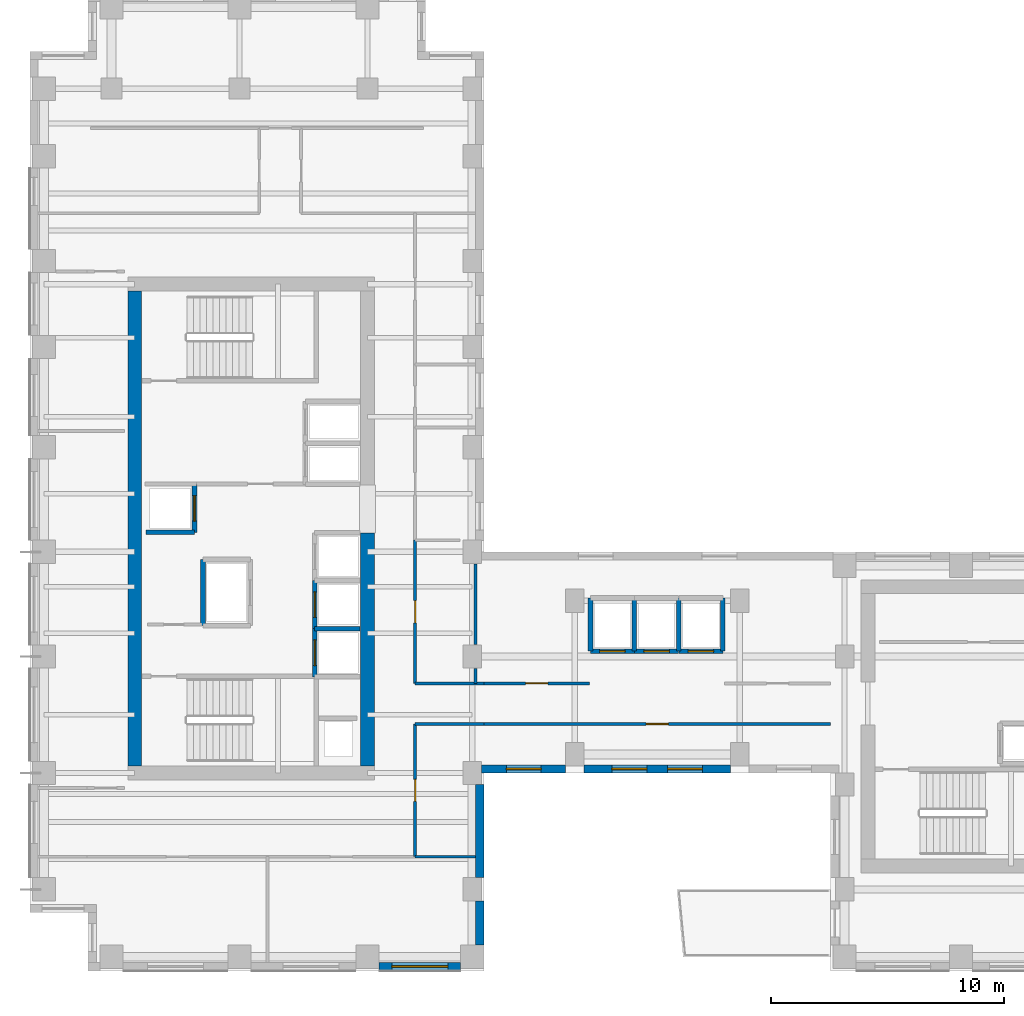
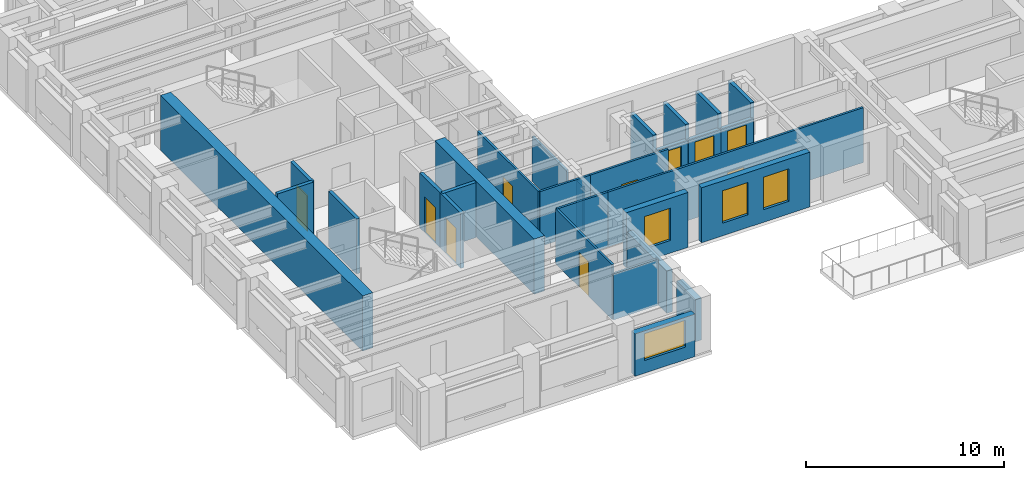
# One storey, part 4 of 12: 29 walls, 10 doors, 4 windows, 14 openings.
"""IFC4 building model written with IfcOpenShell, lengths in metres."""

from ifc_helpers import new_model, si_unit, direction, frame, frame_2d, origin, place, context, subcontext, project, spatial, rectangle, extrude, source, transform, mapped, material, layer, layer_set, type_object, element, fill, save


model = new_model("IFC4")

# Units and contexts
model_context = context("Model", 3, precision=1e-05, world=origin(), true_north=direction((0.0, 1.0)))
body_context = subcontext(model_context, "Body", "Model", "MODEL_VIEW")
ifc_project = project(units=[si_unit("LENGTHUNIT", "METRE"), si_unit("AREAUNIT", "SQUARE_METRE"), si_unit("VOLUMEUNIT", "CUBIC_METRE"), si_unit("PLANEANGLEUNIT", "RADIAN"), si_unit("MASSUNIT", "GRAM", prefix="KILO")], contexts=[model_context])

# Site, building, storey
site_placement = place(None, origin())
site = spatial("IfcSite", under=ifc_project, at=site_placement, CompositionType="ELEMENT")
building_placement = place(site_placement, origin())
building = spatial("IfcBuilding", under=site, at=building_placement, Name="Kharzan Plaza Tower", CompositionType="ELEMENT")
storey_placement = place(building_placement, frame((0.0, 0.0, 179.10009765625)))
storey = spatial("IfcBuildingStorey", under=building, at=storey_placement, Name="L48", CompositionType="ELEMENT", Elevation=179.10009765625)

# Wall, opening, window
ifc_material_1 = material(Name="Concrete C40/50", Category="concrete")
ifc_layer_1 = layer(ifc_material_1, 0.35009765625)
ifc_layer_set_1 = layer_set([ifc_layer_1], Name="Concrete C40/50")
wall_type_1 = type_object("IfcWallType", Name="WL-EXT-MAS-Z3", PredefinedType="SOLIDWALL", material=ifc_layer_set_1)
wall_1_placement = place(storey_placement, frame((14.998046875, 0.175048828125, 0.0), z_axis=(0.0, 0.0, 1.0), x_axis=(1.0, 0.0, 0.0)))
wall_1 = element("IfcWall", 1, at=wall_1_placement, inside=storey, type_object=wall_type_1, Name="L48 Masonry-Frame Exterior Wall 23", PredefinedType="SOLIDWALL", context=body_context, shape_type="SweptSolid", body=[
    extrude(rectangle(XDim=3.50390625, YDim=0.35009765625, at=frame_2d((1.751953125, 0.0))), origin(), (0.0, 0.0, 1.0), 2.61181640625),
])
opening_1_placement = place(wall_1_placement, frame((0.552001953125, 0.0, 0.780029296875)))
opening_1 = element("IfcOpeningElement", 2, at=opening_1_placement, cuts=wall_1, Name="Opening W2", PredefinedType="OPENING", context=body_context, shape_type="SweptSolid", body=[
    extrude(rectangle(XDim=2.39990234375, YDim=1.652099609375, at=frame_2d((1.199951171875, 0.826171875))), frame((0.0, 0.18505859375, 0.0), z_axis=(0.0, -1.0, 0.0), x_axis=(1.0, 0.0, 0.0)), (0.0, 0.0, 1.0), 0.3701171875),
])
ifc_material_2 = material(Name="Low-E Double Glazing", Category="glass")
window_type_1 = type_object("IfcWindowType", Name="WN-REC-2400x2100", PartitioningType="SINGLE_PANEL", PredefinedType="WINDOW", material=ifc_material_2)
shared_shape_1 = source(origin(), body_context, "Body", "SweptSolid", [
    extrude(rectangle(XDim=2.39990234375, YDim=1.652099609375, at=frame_2d((1.199951171875, 0.826171875))), frame((0.0, 0.030029296875, 0.0), z_axis=(0.0, -1.0, 0.0), x_axis=(1.0, 0.0, 0.0)), (0.0, 0.0, 1.0), 0.06005859375),
])
window_1_placement = place(opening_1_placement, origin())
window_1 = element("IfcWindow", 3, at=window_1_placement, inside=storey, type_object=window_type_1, Name="L48 Wide Recessed Solar-Control Window 23-1", OverallHeight=1.652099609375, OverallWidth=2.39990234375, PartitioningType="SINGLE_PANEL", PredefinedType="WINDOW", context=body_context, shape_type="MappedRepresentation", body=[
    mapped(shared_shape_1, transform((0.0, 0.0, 0.0), x_axis=(1.0, 0.0, 0.0), y_axis=(0.0, 1.0, 0.0), z_axis=(0.0, 0.0, 1.0))),
])
fill(opening_1, window_1)

wall_2_placement = place(storey_placement, frame((19.39794921875, 8.675048828125, 0.0), z_axis=(0.0, 0.0, 1.0), x_axis=(1.0, 0.0, 0.0)))
wall_2 = element("IfcWall", 4, at=wall_2_placement, inside=storey, type_object=wall_type_1, Name="L48 Masonry-Frame Exterior Wall 26", PredefinedType="SOLIDWALL", context=body_context, shape_type="SweptSolid", body=[
    extrude(rectangle(XDim=3.60400390625, YDim=0.35009765625, at=frame_2d((1.802001953125, 0.0))), origin(), (0.0, 0.0, 1.0), 3.385009765625),
])
opening_2_placement = place(wall_2_placement, frame((1.067138671875, 0.0, 0.780029296875)))
opening_2 = element("IfcOpeningElement", 5, at=opening_2_placement, cuts=wall_2, Name="Opening W5", PredefinedType="OPENING", context=body_context, shape_type="SweptSolid", body=[
    extrude(rectangle(XDim=1.5, YDim=2.0, at=frame_2d((0.75, 1.0))), frame((0.0, 0.18505859375, 0.0), z_axis=(0.0, -1.0, 0.0), x_axis=(1.0, 0.0, 0.0)), (0.0, 0.0, 1.0), 0.3701171875),
])
window_type_2 = type_object("IfcWindowType", Name="WN-SLT-1500x2000", PartitioningType="SINGLE_PANEL", PredefinedType="WINDOW", material=ifc_material_2)
shared_shape_2 = source(origin(), body_context, "Body", "SweptSolid", [
    extrude(rectangle(XDim=1.5, YDim=2.0, at=frame_2d((0.75, 1.0))), frame((0.0, 0.030029296875, 0.0), z_axis=(0.0, -1.0, 0.0), x_axis=(1.0, 0.0, 0.0)), (0.0, 0.0, 1.0), 0.06005859375),
])
window_2_placement = place(opening_2_placement, origin())
window_2 = element("IfcWindow", 6, at=window_2_placement, inside=storey, type_object=window_type_2, Name="L48 Recessed Solar-Control Window 26-1", OverallHeight=2.0, OverallWidth=1.5, PartitioningType="SINGLE_PANEL", PredefinedType="WINDOW", context=body_context, shape_type="MappedRepresentation", body=[
    mapped(shared_shape_2, transform((0.0, 0.0, 0.0), x_axis=(1.0, 0.0, 0.0), y_axis=(0.0, 1.0, 0.0), z_axis=(0.0, 0.0, 1.0))),
])
fill(opening_2, window_2)

# Wall, openings, windows
wall_3_placement = place(storey_placement, frame((23.798095703125, 8.675048828125, 0.0), z_axis=(0.0, 0.0, 1.0), x_axis=(1.0, 0.0, 0.0)))
wall_3 = element("IfcWall", 7, at=wall_3_placement, inside=storey, type_object=wall_type_1, Name="L48 Masonry-Frame Exterior Wall 27", PredefinedType="SOLIDWALL", context=body_context, shape_type="SweptSolid", body=[
    extrude(rectangle(XDim=6.303955078125, YDim=0.35009765625, at=frame_2d((3.15185546875, 0.0))), origin(), (0.0, 0.0, 1.0), 3.385009765625),
])
opening_3_placement = place(wall_3_placement, frame((1.2080078125, 0.0, 0.780029296875)))
opening_3 = element("IfcOpeningElement", 8, at=opening_3_placement, cuts=wall_3, Name="Opening W5", PredefinedType="OPENING", context=body_context, shape_type="SweptSolid", body=[
    extrude(rectangle(XDim=1.5, YDim=2.0, at=frame_2d((0.75, 1.0))), frame((0.0, 0.18505859375, 0.0), z_axis=(0.0, -1.0, 0.0), x_axis=(1.0, 0.0, 0.0)), (0.0, 0.0, 1.0), 0.3701171875),
])
opening_4_placement = place(wall_3_placement, frame((3.595947265625, 0.0, 0.780029296875)))
opening_4 = element("IfcOpeningElement", 9, at=opening_4_placement, cuts=wall_3, Name="Opening W5", PredefinedType="OPENING", context=body_context, shape_type="SweptSolid", body=[
    extrude(rectangle(XDim=1.5, YDim=2.0, at=frame_2d((0.75, 1.0))), frame((0.0, 0.18505859375, 0.0), z_axis=(0.0, -1.0, 0.0), x_axis=(1.0, 0.0, 0.0)), (0.0, 0.0, 1.0), 0.3701171875),
])
window_3_placement = place(opening_3_placement, origin())
window_3 = element("IfcWindow", 10, at=window_3_placement, inside=storey, type_object=window_type_2, Name="L48 Recessed Solar-Control Window 27-1", OverallHeight=2.0, OverallWidth=1.5, PartitioningType="SINGLE_PANEL", PredefinedType="WINDOW", context=body_context, shape_type="MappedRepresentation", body=[
    mapped(shared_shape_2, transform((0.0, 0.0, 0.0), x_axis=(1.0, 0.0, 0.0), y_axis=(0.0, 1.0, 0.0), z_axis=(0.0, 0.0, 1.0))),
])
fill(opening_3, window_3)
window_4_placement = place(opening_4_placement, origin())
window_4 = element("IfcWindow", 11, at=window_4_placement, inside=storey, type_object=window_type_2, Name="L48 Recessed Solar-Control Window 27-2", OverallHeight=2.0, OverallWidth=1.5, PartitioningType="SINGLE_PANEL", PredefinedType="WINDOW", context=body_context, shape_type="MappedRepresentation", body=[
    mapped(shared_shape_2, transform((0.0, 0.0, 0.0), x_axis=(1.0, 0.0, 0.0), y_axis=(0.0, 1.0, 0.0), z_axis=(0.0, 0.0, 1.0))),
])
fill(opening_4, window_4)

# Wall, opening, door
ifc_material_3 = material(Name="Fire-Rated Gypsum Board Partition", Category="gypsum")
ifc_layer_2 = layer(ifc_material_3, 0.125)
ifc_layer_set_2 = layer_set([ifc_layer_2], Name="Fire-Rated Gypsum Board Partition")
wall_type_2 = type_object("IfcWallType", Name="WL-INT-PART-125", PredefinedType="PARTITIONING", material=ifc_layer_set_2)
wall_4_placement = place(storey_placement, frame((16.550048828125, 12.35009765625, 0.0), z_axis=(0.0, 0.0, 1.0), x_axis=(0.0, 1.0, 0.0)))
wall_4 = element("IfcWall", 12, at=wall_4_placement, inside=storey, type_object=wall_type_2, Name="L48 Interior Partition SH-AEWN1", PredefinedType="PARTITIONING", context=body_context, shape_type="SweptSolid", body=[
    extrude(rectangle(XDim=6.14990234375, YDim=0.125, at=frame_2d((3.074951171875, 0.0))), origin(), (0.0, 0.0, 1.0), 3.385009765625),
])
opening_5_placement = place(wall_4_placement, frame((2.60009765625, 0.0, 0.0)))
opening_5 = element("IfcOpeningElement", 13, at=opening_5_placement, cuts=wall_4, Name="Opening OD1", PredefinedType="OPENING", context=body_context, shape_type="SweptSolid", body=[
    extrude(rectangle(XDim=0.949951171875, YDim=2.14990234375, at=frame_2d((0.47509765625, 1.074951171875))), frame((0.0, 0.072509765625, 0.0), z_axis=(0.0, -1.0, 0.0), x_axis=(1.0, 0.0, 0.0)), (0.0, 0.0, 1.0), 0.14501953125),
])
ifc_material_4 = material(Name="Acoustic Solid-Core Stained Oak", Category="timber")
door_type_1 = type_object("IfcDoorType", Name="DR-OFF-SINGLE", OperationType="NOTDEFINED", PredefinedType="DOOR", material=ifc_material_4)
shared_shape_3 = source(origin(), body_context, "Body", "SweptSolid", [
    extrude(rectangle(XDim=0.949951171875, YDim=2.14990234375, at=frame_2d((0.47509765625, 1.074951171875))), frame((0.0, 0.02490234375, 0.0), z_axis=(0.0, -1.0, 0.0), x_axis=(1.0, 0.0, 0.0)), (0.0, 0.0, 1.0), 0.050048828125),
])
door_1_placement = place(opening_5_placement, origin())
door_1 = element("IfcDoor", 14, at=door_1_placement, inside=storey, type_object=door_type_1, Name="L48 Slot Collaboration Door", OperationType="SINGLE_SWING_RIGHT", OverallHeight=2.14990234375, OverallWidth=0.949951171875, PredefinedType="DOOR", context=body_context, shape_type="MappedRepresentation", body=[
    mapped(shared_shape_3, transform((0.0, 0.0, 0.0), x_axis=(1.0, 0.0, 0.0), y_axis=(0.0, 1.0, 0.0), z_axis=(0.0, 0.0, 1.0))),
])
fill(opening_5, door_1)

wall_5_placement = place(storey_placement, frame((16.550048828125, 4.89990234375, 0.0), z_axis=(0.0, 0.0, 1.0), x_axis=(0.0, 1.0, 0.0)))
wall_5 = element("IfcWall", 15, at=wall_5_placement, inside=storey, type_object=wall_type_2, Name="L48 Interior Partition SH-AEWS", PredefinedType="PARTITIONING", context=body_context, shape_type="SweptSolid", body=[
    extrude(rectangle(XDim=5.7001953125, YDim=0.125, at=frame_2d((2.85009765625, 0.0))), origin(), (0.0, 0.0, 1.0), 3.385009765625),
])
opening_6_placement = place(wall_5_placement, frame((2.375, 0.0, 0.0)))
opening_6 = element("IfcOpeningElement", 16, at=opening_6_placement, cuts=wall_5, Name="Opening OD1", PredefinedType="OPENING", context=body_context, shape_type="SweptSolid", body=[
    extrude(rectangle(XDim=0.949951171875, YDim=2.14990234375, at=frame_2d((0.47509765625, 1.074951171875))), frame((0.0, 0.072509765625, 0.0), z_axis=(0.0, -1.0, 0.0), x_axis=(1.0, 0.0, 0.0)), (0.0, 0.0, 1.0), 0.14501953125),
])
door_2_placement = place(opening_6_placement, origin())
door_2 = element("IfcDoor", 17, at=door_2_placement, inside=storey, type_object=door_type_1, Name="L48 Slot South Office Door", OperationType="SINGLE_SWING_LEFT", OverallHeight=2.14990234375, OverallWidth=0.949951171875, PredefinedType="DOOR", context=body_context, shape_type="MappedRepresentation", body=[
    mapped(shared_shape_3, transform((0.0, 0.0, 0.0), x_axis=(1.0, 0.0, 0.0), y_axis=(0.0, 1.0, 0.0), z_axis=(0.0, 0.0, 1.0))),
])
fill(opening_6, door_2)

wall_6_placement = place(storey_placement, frame((19.5, 12.35009765625, 0.0), z_axis=(0.0, 0.0, 1.0), x_axis=(1.0, 0.0, 0.0)))
wall_6 = element("IfcWall", 18, at=wall_6_placement, inside=storey, type_object=wall_type_2, Name="L48 Interior Partition SH-SPNW1", PredefinedType="PARTITIONING", context=body_context, shape_type="SweptSolid", body=[
    extrude(rectangle(XDim=4.550048828125, YDim=0.125, at=frame_2d((2.27490234375, 0.0))), origin(), (0.0, 0.0, 1.0), 3.385009765625),
])
opening_7_placement = place(wall_6_placement, frame((1.800048828125, 0.0, 0.0)))
opening_7 = element("IfcOpeningElement", 19, at=opening_7_placement, cuts=wall_6, Name="Opening OD1", PredefinedType="OPENING", context=body_context, shape_type="SweptSolid", body=[
    extrude(rectangle(XDim=0.949951171875, YDim=2.14990234375, at=frame_2d((0.47509765625, 1.074951171875))), frame((0.0, 0.072509765625, 0.0), z_axis=(0.0, -1.0, 0.0), x_axis=(1.0, 0.0, 0.0)), (0.0, 0.0, 1.0), 0.14501953125),
])
door_3_placement = place(opening_7_placement, origin())
door_3 = element("IfcDoor", 20, at=door_3_placement, inside=storey, type_object=door_type_1, Name="L48 North-West Spine Door", OperationType="SINGLE_SWING_LEFT", OverallHeight=2.14990234375, OverallWidth=0.949951171875, PredefinedType="DOOR", context=body_context, shape_type="MappedRepresentation", body=[
    mapped(shared_shape_3, transform((0.0, 0.0, 0.0), x_axis=(1.0, 0.0, 0.0), y_axis=(0.0, 1.0, 0.0), z_axis=(0.0, 0.0, 1.0))),
])
fill(opening_7, door_3)

wall_7_placement = place(storey_placement, frame((19.5, 10.60009765625, 0.0), z_axis=(0.0, 0.0, 1.0), x_axis=(1.0, 0.0, 0.0)))
wall_7 = element("IfcWall", 21, at=wall_7_placement, inside=storey, type_object=wall_type_2, Name="L48 Interior Partition SH-SPS1", PredefinedType="PARTITIONING", context=body_context, shape_type="SweptSolid", body=[
    extrude(rectangle(XDim=14.89990234375, YDim=0.125, at=frame_2d((7.449951171875, 0.0))), origin(), (0.0, 0.0, 1.0), 3.385009765625),
])
opening_8_placement = place(wall_7_placement, frame((6.97509765625, 0.0, 0.0)))
opening_8 = element("IfcOpeningElement", 22, at=opening_8_placement, cuts=wall_7, Name="Opening OD1", PredefinedType="OPENING", context=body_context, shape_type="SweptSolid", body=[
    extrude(rectangle(XDim=0.949951171875, YDim=2.14990234375, at=frame_2d((0.47509765625, 1.074951171875))), frame((0.0, 0.072509765625, 0.0), z_axis=(0.0, -1.0, 0.0), x_axis=(1.0, 0.0, 0.0)), (0.0, 0.0, 1.0), 0.14501953125),
])
door_4_placement = place(opening_8_placement, origin())
door_4 = element("IfcDoor", 23, at=door_4_placement, inside=storey, type_object=door_type_1, Name="L48 South Spine Studio Door", OperationType="SINGLE_SWING_RIGHT", OverallHeight=2.14990234375, OverallWidth=0.949951171875, PredefinedType="DOOR", context=body_context, shape_type="MappedRepresentation", body=[
    mapped(shared_shape_3, transform((0.0, 0.0, 0.0), x_axis=(1.0, 0.0, 0.0), y_axis=(0.0, 1.0, 0.0), z_axis=(0.0, 0.0, 1.0))),
])
fill(opening_8, door_4)

ifc_layer_3 = layer(ifc_material_1, 0.199951171875)
ifc_layer_set_3 = layer_set([ifc_layer_3], Name="Concrete C40/50")
wall_type_3 = type_object("IfcWallType", Name="WL-INT-SHAFT-200", PredefinedType="PARTITIONING", material=ifc_layer_set_3)
wall_8_placement = place(storey_placement, frame((12.22998046875, 12.6298828125, 0.0), z_axis=(0.0, 0.0, 1.0), x_axis=(0.0, 1.0, 0.0)))
wall_8 = element("IfcWall", 24, at=wall_8_placement, inside=storey, type_object=wall_type_3, Name="L48 Interior Partition SHF-PL-H1-W", PredefinedType="PARTITIONING", context=body_context, shape_type="SweptSolid", body=[
    extrude(rectangle(XDim=2.070068359375, YDim=0.199951171875, at=frame_2d((1.03515625, 0.0))), origin(), (0.0, 0.0, 1.0), 3.385009765625),
])
opening_9_placement = place(wall_8_placement, frame((0.485107421875, 0.0, 0.0)))
opening_9 = element("IfcOpeningElement", 25, at=opening_9_placement, cuts=wall_8, Name="Opening LD", PredefinedType="OPENING", context=body_context, shape_type="SweptSolid", body=[
    extrude(rectangle(XDim=1.10009765625, YDim=2.199951171875, at=frame_2d((0.550048828125, 1.10009765625))), frame((0.0, 0.10986328125, 0.0), z_axis=(0.0, -1.0, 0.0), x_axis=(1.0, 0.0, 0.0)), (0.0, 0.0, 1.0), 0.219970703125),
])
ifc_material_5 = material(Name="Brushed Stainless Steel", Category="steel")
door_type_2 = type_object("IfcDoorType", Name="DR-LIFT-SLIDE", OperationType="SLIDING_TO_LEFT", PredefinedType="DOOR", material=ifc_material_5)
shared_shape_4 = source(origin(), body_context, "Body", "SweptSolid", [
    extrude(rectangle(XDim=1.10009765625, YDim=2.199951171875, at=frame_2d((0.550048828125, 1.10009765625))), frame((0.0, 0.02490234375, 0.0), z_axis=(0.0, -1.0, 0.0), x_axis=(1.0, 0.0, 0.0)), (0.0, 0.0, 1.0), 0.050048828125),
])
door_5_placement = place(opening_9_placement, origin())
door_5 = element("IfcDoor", 26, at=door_5_placement, inside=storey, type_object=door_type_2, Name="L48 High-Rise Passenger Lift PL-H1 Sliding Landing Door", OperationType="SLIDING_TO_LEFT", OverallHeight=2.199951171875, OverallWidth=1.10009765625, PredefinedType="DOOR", context=body_context, shape_type="MappedRepresentation", body=[
    mapped(shared_shape_4, transform((0.0, 0.0, 0.0), x_axis=(1.0, 0.0, 0.0), y_axis=(0.0, 1.0, 0.0), z_axis=(0.0, 0.0, 1.0))),
])
fill(opening_9, door_5)

wall_9_placement = place(storey_placement, frame((12.22998046875, 14.699951171875, 0.0), z_axis=(0.0, 0.0, 1.0), x_axis=(0.0, 1.0, 0.0)))
wall_9 = element("IfcWall", 27, at=wall_9_placement, inside=storey, type_object=wall_type_3, Name="L48 Interior Partition SHF-PL-H2-W", PredefinedType="PARTITIONING", context=body_context, shape_type="SweptSolid", body=[
    extrude(rectangle(XDim=2.070068359375, YDim=0.199951171875, at=frame_2d((1.03515625, 0.0))), origin(), (0.0, 0.0, 1.0), 3.385009765625),
])
opening_10_placement = place(wall_9_placement, frame((0.485107421875, 0.0, 0.0)))
opening_10 = element("IfcOpeningElement", 28, at=opening_10_placement, cuts=wall_9, Name="Opening LD", PredefinedType="OPENING", context=body_context, shape_type="SweptSolid", body=[
    extrude(rectangle(XDim=1.10009765625, YDim=2.199951171875, at=frame_2d((0.550048828125, 1.10009765625))), frame((0.0, 0.10986328125, 0.0), z_axis=(0.0, -1.0, 0.0), x_axis=(1.0, 0.0, 0.0)), (0.0, 0.0, 1.0), 0.219970703125),
])
door_6_placement = place(opening_10_placement, origin())
door_6 = element("IfcDoor", 29, at=door_6_placement, inside=storey, type_object=door_type_2, Name="L48 High-Rise Passenger Lift PL-H2 Sliding Landing Door", OperationType="SLIDING_TO_LEFT", OverallHeight=2.199951171875, OverallWidth=1.10009765625, PredefinedType="DOOR", context=body_context, shape_type="MappedRepresentation", body=[
    mapped(shared_shape_4, transform((0.0, 0.0, 0.0), x_axis=(1.0, 0.0, 0.0), y_axis=(0.0, 1.0, 0.0), z_axis=(0.0, 0.0, 1.0))),
])
fill(opening_10, door_6)

wall_10_placement = place(storey_placement, frame((7.070068359375, 18.840087890625, 0.0), z_axis=(0.0, 0.0, 1.0), x_axis=(0.0, 1.0, 0.0)))
wall_10 = element("IfcWall", 30, at=wall_10_placement, inside=storey, type_object=wall_type_3, Name="L48 Interior Partition SHF-PL-H4-E", PredefinedType="PARTITIONING", context=body_context, shape_type="SweptSolid", body=[
    extrude(rectangle(XDim=2.059814453125, YDim=0.199951171875, at=frame_2d((1.02978515625, 0.0))), origin(), (0.0, 0.0, 1.0), 3.385009765625),
])
opening_11_placement = place(wall_10_placement, frame((0.47998046875, 0.0, 0.0)))
opening_11 = element("IfcOpeningElement", 31, at=opening_11_placement, cuts=wall_10, Name="Opening LD", PredefinedType="OPENING", context=body_context, shape_type="SweptSolid", body=[
    extrude(rectangle(XDim=1.10009765625, YDim=2.199951171875, at=frame_2d((0.550048828125, 1.10009765625))), frame((0.0, 0.10986328125, 0.0), z_axis=(0.0, -1.0, 0.0), x_axis=(1.0, 0.0, 0.0)), (0.0, 0.0, 1.0), 0.219970703125),
])
door_7_placement = place(opening_11_placement, origin())
door_7 = element("IfcDoor", 32, at=door_7_placement, inside=storey, type_object=door_type_2, Name="L48 High-Rise Passenger Lift PL-H4 Sliding Landing Door", OperationType="SLIDING_TO_LEFT", OverallHeight=2.199951171875, OverallWidth=1.10009765625, PredefinedType="DOOR", context=body_context, shape_type="MappedRepresentation", body=[
    mapped(shared_shape_4, transform((0.0, 0.0, 0.0), x_axis=(1.0, 0.0, 0.0), y_axis=(0.0, 1.0, 0.0), z_axis=(0.0, 0.0, 1.0))),
])
fill(opening_11, door_7)

wall_11_placement = place(storey_placement, frame((24.080078125, 13.72998046875, 0.0), z_axis=(0.0, 0.0, 1.0), x_axis=(1.0, 0.0, 0.0)))
wall_11 = element("IfcWall", 33, at=wall_11_placement, inside=storey, type_object=wall_type_3, Name="L48 Interior Partition SHF-PL-M1-S", PredefinedType="PARTITIONING", context=body_context, shape_type="SweptSolid", body=[
    extrude(rectangle(XDim=1.889892578125, YDim=0.199951171875, at=frame_2d((0.94482421875, 0.0))), origin(), (0.0, 0.0, 1.0), 2.4658203125),
])
opening_12_placement = place(wall_11_placement, frame((0.39501953125, 0.0, 0.0)))
opening_12 = element("IfcOpeningElement", 34, at=opening_12_placement, cuts=wall_11, Name="Opening LD", PredefinedType="OPENING", context=body_context, shape_type="SweptSolid", body=[
    extrude(rectangle(XDim=1.10009765625, YDim=2.199951171875, at=frame_2d((0.550048828125, 1.10009765625))), frame((0.0, 0.10986328125, 0.0), z_axis=(0.0, -1.0, 0.0), x_axis=(1.0, 0.0, 0.0)), (0.0, 0.0, 1.0), 0.219970703125),
])
door_8_placement = place(opening_12_placement, origin())
door_8 = element("IfcDoor", 35, at=door_8_placement, inside=storey, type_object=door_type_2, Name="L48 Mid-Rise Passenger Lift PL-M1 Sliding Landing Door", OperationType="SLIDING_TO_LEFT", OverallHeight=2.199951171875, OverallWidth=1.10009765625, PredefinedType="DOOR", context=body_context, shape_type="MappedRepresentation", body=[
    mapped(shared_shape_4, transform((0.0, 0.0, 0.0), x_axis=(1.0, 0.0, 0.0), y_axis=(0.0, 1.0, 0.0), z_axis=(0.0, 0.0, 1.0))),
])
fill(opening_12, door_8)

wall_12_placement = place(storey_placement, frame((25.97998046875, 13.72998046875, 0.0), z_axis=(0.0, 0.0, 1.0), x_axis=(1.0, 0.0, 0.0)))
wall_12 = element("IfcWall", 36, at=wall_12_placement, inside=storey, type_object=wall_type_3, Name="L48 Interior Partition SHF-PL-M2-S", PredefinedType="PARTITIONING", context=body_context, shape_type="SweptSolid", body=[
    extrude(rectangle(XDim=1.89013671875, YDim=0.199951171875, at=frame_2d((0.945068359375, 0.0))), origin(), (0.0, 0.0, 1.0), 2.4658203125),
])
opening_13_placement = place(wall_12_placement, frame((0.39501953125, 0.0, 0.0)))
opening_13 = element("IfcOpeningElement", 37, at=opening_13_placement, cuts=wall_12, Name="Opening LD", PredefinedType="OPENING", context=body_context, shape_type="SweptSolid", body=[
    extrude(rectangle(XDim=1.10009765625, YDim=2.199951171875, at=frame_2d((0.550048828125, 1.10009765625))), frame((0.0, 0.10986328125, 0.0), z_axis=(0.0, -1.0, 0.0), x_axis=(1.0, 0.0, 0.0)), (0.0, 0.0, 1.0), 0.219970703125),
])
door_9_placement = place(opening_13_placement, origin())
door_9 = element("IfcDoor", 38, at=door_9_placement, inside=storey, type_object=door_type_2, Name="L48 Mid-Rise Passenger Lift PL-M2 Sliding Landing Door", OperationType="SLIDING_TO_LEFT", OverallHeight=2.199951171875, OverallWidth=1.10009765625, PredefinedType="DOOR", context=body_context, shape_type="MappedRepresentation", body=[
    mapped(shared_shape_4, transform((0.0, 0.0, 0.0), x_axis=(1.0, 0.0, 0.0), y_axis=(0.0, 1.0, 0.0), z_axis=(0.0, 0.0, 1.0))),
])
fill(opening_13, door_9)

wall_13_placement = place(storey_placement, frame((27.8798828125, 13.72998046875, 0.0), z_axis=(0.0, 0.0, 1.0), x_axis=(1.0, 0.0, 0.0)))
wall_13 = element("IfcWall", 39, at=wall_13_placement, inside=storey, type_object=wall_type_3, Name="L48 Interior Partition SHF-PL-M3-S", PredefinedType="PARTITIONING", context=body_context, shape_type="SweptSolid", body=[
    extrude(rectangle(XDim=1.89013671875, YDim=0.199951171875, at=frame_2d((0.945068359375, 0.0))), origin(), (0.0, 0.0, 1.0), 2.4658203125),
])
opening_14_placement = place(wall_13_placement, frame((0.39501953125, 0.0, 0.0)))
opening_14 = element("IfcOpeningElement", 40, at=opening_14_placement, cuts=wall_13, Name="Opening LD", PredefinedType="OPENING", context=body_context, shape_type="SweptSolid", body=[
    extrude(rectangle(XDim=1.10009765625, YDim=2.199951171875, at=frame_2d((0.550048828125, 1.10009765625))), frame((0.0, 0.10986328125, 0.0), z_axis=(0.0, -1.0, 0.0), x_axis=(1.0, 0.0, 0.0)), (0.0, 0.0, 1.0), 0.219970703125),
])
door_10_placement = place(opening_14_placement, origin())
door_10 = element("IfcDoor", 41, at=door_10_placement, inside=storey, type_object=door_type_2, Name="L48 Mid-Rise Passenger Lift PL-M3 Sliding Landing Door", OperationType="SLIDING_TO_LEFT", OverallHeight=2.199951171875, OverallWidth=1.10009765625, PredefinedType="DOOR", context=body_context, shape_type="MappedRepresentation", body=[
    mapped(shared_shape_4, transform((0.0, 0.0, 0.0), x_axis=(1.0, 0.0, 0.0), y_axis=(0.0, 1.0, 0.0), z_axis=(0.0, 0.0, 1.0))),
])
fill(opening_14, door_10)

# Walls
ifc_material_6 = material(Name="Concrete C50/60", Category="concrete")
ifc_layer_4 = layer(ifc_material_6, 0.60009765625)
ifc_layer_set_4 = layer_set([ifc_layer_4], Name="Concrete C50/60")
wall_type_4 = type_object("IfcWallType", Name="WL-CORE-600", PredefinedType="SHEAR", material=ifc_layer_set_4)
shared_shape_5 = source(origin(), body_context, "Body", "SweptSolid", [
    extrude(rectangle(XDim=10.02001953125, YDim=0.60009765625, at=frame_2d((5.010009765625, 0.0))), origin(), (0.0, 0.0, 1.0), 3.39990234375),
])
wall_14_placement = place(storey_placement, frame((14.5, 8.800048828125, 0.0), z_axis=(0.0, 0.0, 1.0), x_axis=(0.0, 1.0, 0.0)))
element("IfcWall", 42, at=wall_14_placement, inside=storey, type_object=wall_type_4, Name="L48 CORE-A east shear pier 1", PredefinedType="SHEAR", context=body_context, shape_type="MappedRepresentation", body=[
    mapped(shared_shape_5, transform((0.0, 0.0, 0.0), x_axis=(1.0, 0.0, 0.0), y_axis=(0.0, 1.0, 0.0), z_axis=(0.0, 0.0, 1.0))),
])
shared_shape_6 = source(origin(), body_context, "Body", "SweptSolid", [
    extrude(rectangle(XDim=20.39990234375, YDim=0.60009765625, at=frame_2d((10.199951171875, 0.0))), origin(), (0.0, 0.0, 1.0), 3.39990234375),
])
wall_15_placement = place(storey_placement, frame((4.5, 8.800048828125, 0.0), z_axis=(0.0, 0.0, 1.0), x_axis=(0.0, 1.0, 0.0)))
element("IfcWall", 43, at=wall_15_placement, inside=storey, type_object=wall_type_4, Name="L48 CORE-A west RC shear wall", PredefinedType="SHEAR", context=body_context, shape_type="MappedRepresentation", body=[
    mapped(shared_shape_6, transform((0.0, 0.0, 0.0), x_axis=(1.0, 0.0, 0.0), y_axis=(0.0, 1.0, 0.0), z_axis=(0.0, 0.0, 1.0))),
])
shared_shape_7 = source(origin(), body_context, "Body", "SweptSolid", [
    extrude(rectangle(XDim=1.904052734375, YDim=0.35009765625, at=frame_2d((0.9521484375, 0.0))), origin(), (0.0, 0.0, 1.0), 2.61181640625),
])
wall_16_placement = place(storey_placement, frame((19.324951171875, 1.097900390625, 0.0), z_axis=(0.0, 0.0, 1.0), x_axis=(0.0, 1.0, 0.0)))
element("IfcWall", 44, at=wall_16_placement, inside=storey, type_object=wall_type_1, Name="L48 Masonry-Frame Exterior Wall 24", PredefinedType="SOLIDWALL", context=body_context, shape_type="MappedRepresentation", body=[
    mapped(shared_shape_7, transform((0.0, 0.0, 0.0), x_axis=(1.0, 0.0, 0.0), y_axis=(0.0, 1.0, 0.0), z_axis=(0.0, 0.0, 1.0))),
])
shared_shape_8 = source(origin(), body_context, "Body", "SweptSolid", [
    extrude(rectangle(XDim=0.6298828125, YDim=0.125, at=frame_2d((0.31494140625, 0.0))), origin(), (0.0, 0.0, 1.0), 2.77294921875),
])
wall_17_placement = place(storey_placement, frame((19.14990234375, 12.35009765625, 0.0), z_axis=(0.0, 0.0, 1.0), x_axis=(0.0, 1.0, 0.0)))
element("IfcWall", 45, at=wall_17_placement, inside=storey, type_object=wall_type_2, Name="L48 Interior Partition SH-AEN-DIV-S1", PredefinedType="PARTITIONING", context=body_context, shape_type="MappedRepresentation", body=[
    mapped(shared_shape_8, transform((0.0, 0.0, 0.0), x_axis=(1.0, 0.0, 0.0), y_axis=(0.0, 1.0, 0.0), z_axis=(0.0, 0.0, 1.0))),
])
shared_shape_9 = source(origin(), body_context, "Body", "SweptSolid", [
    extrude(rectangle(XDim=3.4599609375, YDim=0.125, at=frame_2d((1.72998046875, 0.0))), origin(), (0.0, 0.0, 1.0), 2.77294921875),
])
wall_18_placement = place(storey_placement, frame((19.14990234375, 14.02001953125, 0.0), z_axis=(0.0, 0.0, 1.0), x_axis=(0.0, 1.0, 0.0)))
element("IfcWall", 46, at=wall_18_placement, inside=storey, type_object=wall_type_2, Name="L48 Interior Partition SH-AEN-DIV-S2", PredefinedType="PARTITIONING", context=body_context, shape_type="MappedRepresentation", body=[
    mapped(shared_shape_9, transform((0.0, 0.0, 0.0), x_axis=(1.0, 0.0, 0.0), y_axis=(0.0, 1.0, 0.0), z_axis=(0.0, 0.0, 1.0))),
])
shared_shape_10 = source(origin(), body_context, "Body", "SweptSolid", [
    extrude(rectangle(XDim=1.93994140625, YDim=0.199951171875, at=frame_2d((0.969970703125, 0.0))), origin(), (0.0, 0.0, 1.0), 3.385009765625),
])
wall_19_placement = place(storey_placement, frame((12.22998046875, 14.699951171875, 0.0), z_axis=(0.0, 0.0, 1.0), x_axis=(1.0, 0.0, 0.0)))
element("IfcWall", 47, at=wall_19_placement, inside=storey, type_object=wall_type_3, Name="L48 Interior Partition SHF-PL-H1-N", PredefinedType="PARTITIONING", context=body_context, shape_type="MappedRepresentation", body=[
    mapped(shared_shape_10, transform((0.0, 0.0, 0.0), x_axis=(1.0, 0.0, 0.0), y_axis=(0.0, 1.0, 0.0), z_axis=(0.0, 0.0, 1.0))),
])
shared_shape_11 = source(origin(), body_context, "Body", "SweptSolid", [
    extrude(rectangle(XDim=2.090087890625, YDim=0.199951171875, at=frame_2d((1.044921875, 0.0))), origin(), (0.0, 0.0, 1.0), 3.385009765625),
])
wall_20_placement = place(storey_placement, frame((4.97998046875, 18.840087890625, 0.0), z_axis=(0.0, 0.0, 1.0), x_axis=(1.0, 0.0, 0.0)))
element("IfcWall", 48, at=wall_20_placement, inside=storey, type_object=wall_type_3, Name="L48 Interior Partition SHF-PL-H4-S", PredefinedType="PARTITIONING", context=body_context, shape_type="MappedRepresentation", body=[
    mapped(shared_shape_11, transform((0.0, 0.0, 0.0), x_axis=(1.0, 0.0, 0.0), y_axis=(0.0, 1.0, 0.0), z_axis=(0.0, 0.0, 1.0))),
])
shared_shape_12 = source(origin(), body_context, "Body", "SweptSolid", [
    extrude(rectangle(XDim=2.2900390625, YDim=0.199951171875, at=frame_2d((1.14501953125, 0.0))), origin(), (0.0, 0.0, 1.0), 3.385009765625),
])
for number, where, z_axis, x_axis, name in (
    (49, (25.969970703125, 13.72998046875, 0.0), (0.0, 0.0, 1.0), (0.0, 1.0, 0.0), "L48 Interior Partition SHF-PL-M1-E"),
    (50, (24.080078125, 13.72998046875, 0.0), (0.0, 0.0, 1.0), (0.0, 1.0, 0.0), "L48 Interior Partition SHF-PL-M1-W"),
    (51, (27.8701171875, 13.72998046875, 0.0), (0.0, 0.0, 1.0), (0.0, 1.0, 0.0), "L48 Interior Partition SHF-PL-M2-E"),
    (52, (29.77001953125, 13.72998046875, 0.0), (0.0, 0.0, 1.0), (0.0, 1.0, 0.0), "L48 Interior Partition SHF-PL-M3-E"),
):
    element("IfcWall", number, at=place(storey_placement, frame(where, z_axis=z_axis, x_axis=x_axis)), inside=storey, type_object=wall_type_3, Name=name, PredefinedType="PARTITIONING", context=body_context, shape_type="MappedRepresentation", body=[
        mapped(shared_shape_12, transform((0.0, 0.0, 0.0), x_axis=(1.0, 0.0, 0.0), y_axis=(0.0, 1.0, 0.0), z_axis=(0.0, 0.0, 1.0))),
    ])
shared_shape_13 = source(origin(), body_context, "Body", "SweptSolid", [
    extrude(rectangle(XDim=2.83984375, YDim=0.199951171875, at=frame_2d((1.419921875, 0.0))), origin(), (0.0, 0.0, 1.0), 3.385009765625),
])
wall_21_placement = place(storey_placement, frame((7.429931640625, 14.830078125, 0.0), z_axis=(0.0, 0.0, 1.0), x_axis=(0.0, 1.0, 0.0)))
element("IfcWall", 53, at=wall_21_placement, inside=storey, type_object=wall_type_3, Name="L48 Interior Partition SHF-SVL-1-W", PredefinedType="PARTITIONING", context=body_context, shape_type="MappedRepresentation", body=[
    mapped(shared_shape_13, transform((0.0, 0.0, 0.0), x_axis=(1.0, 0.0, 0.0), y_axis=(0.0, 1.0, 0.0), z_axis=(0.0, 0.0, 1.0))),
])
shared_shape_14 = source(origin(), body_context, "Body", "SweptSolid", [
    extrude(rectangle(XDim=2.949951171875, YDim=0.125, at=frame_2d((1.47509765625, 0.0))), origin(), (0.0, 0.0, 1.0), 3.385009765625),
])
for number, where, z_axis, x_axis, name in (
    (54, (16.550048828125, 12.35009765625, 0.0), (0.0, 0.0, 1.0), (1.0, 0.0, 0.0), "L48 Interior Partition SH-SPNW0"),
    (55, (16.550048828125, 10.60009765625, 0.0), (0.0, 0.0, 1.0), (1.0, 0.0, 0.0), "L48 Interior Partition SH-SPS0"),
):
    element("IfcWall", number, at=place(storey_placement, frame(where, z_axis=z_axis, x_axis=x_axis)), inside=storey, type_object=wall_type_2, Name=name, PredefinedType="PARTITIONING", context=body_context, shape_type="MappedRepresentation", body=[
        mapped(shared_shape_14, transform((0.0, 0.0, 0.0), x_axis=(1.0, 0.0, 0.0), y_axis=(0.0, 1.0, 0.0), z_axis=(0.0, 0.0, 1.0))),
    ])
shared_shape_15 = source(origin(), body_context, "Body", "SweptSolid", [
    extrude(rectangle(XDim=4.00390625, YDim=0.35009765625, at=frame_2d((2.001953125, 0.0))), origin(), (0.0, 0.0, 1.0), 2.61181640625),
])
wall_22_placement = place(storey_placement, frame((19.324951171875, 3.998046875, 0.0), z_axis=(0.0, 0.0, 1.0), x_axis=(0.0, 1.0, 0.0)))
element("IfcWall", 56, at=wall_22_placement, inside=storey, type_object=wall_type_1, Name="L48 Masonry-Frame Exterior Wall 25", PredefinedType="SOLIDWALL", context=body_context, shape_type="MappedRepresentation", body=[
    mapped(shared_shape_15, transform((0.0, 0.0, 0.0), x_axis=(1.0, 0.0, 0.0), y_axis=(0.0, 1.0, 0.0), z_axis=(0.0, 0.0, 1.0))),
])
shared_shape_16 = source(origin(), body_context, "Body", "SweptSolid", [
    extrude(rectangle(XDim=2.597900390625, YDim=0.125, at=frame_2d((1.298828125, 0.0))), origin(), (0.0, 0.0, 1.0), 2.847900390625),
])
wall_23_placement = place(storey_placement, frame((16.550048828125, 4.89990234375, 0.0), z_axis=(0.0, 0.0, 1.0), x_axis=(1.0, 0.0, 0.0)))
element("IfcWall", 57, at=wall_23_placement, inside=storey, type_object=wall_type_2, Name="L48 Interior Partition SH-SSE-2", PredefinedType="PARTITIONING", context=body_context, shape_type="MappedRepresentation", body=[
    mapped(shared_shape_16, transform((0.0, 0.0, 0.0), x_axis=(1.0, 0.0, 0.0), y_axis=(0.0, 1.0, 0.0), z_axis=(0.0, 0.0, 1.0))),
])

save(model, "model.ifc")
